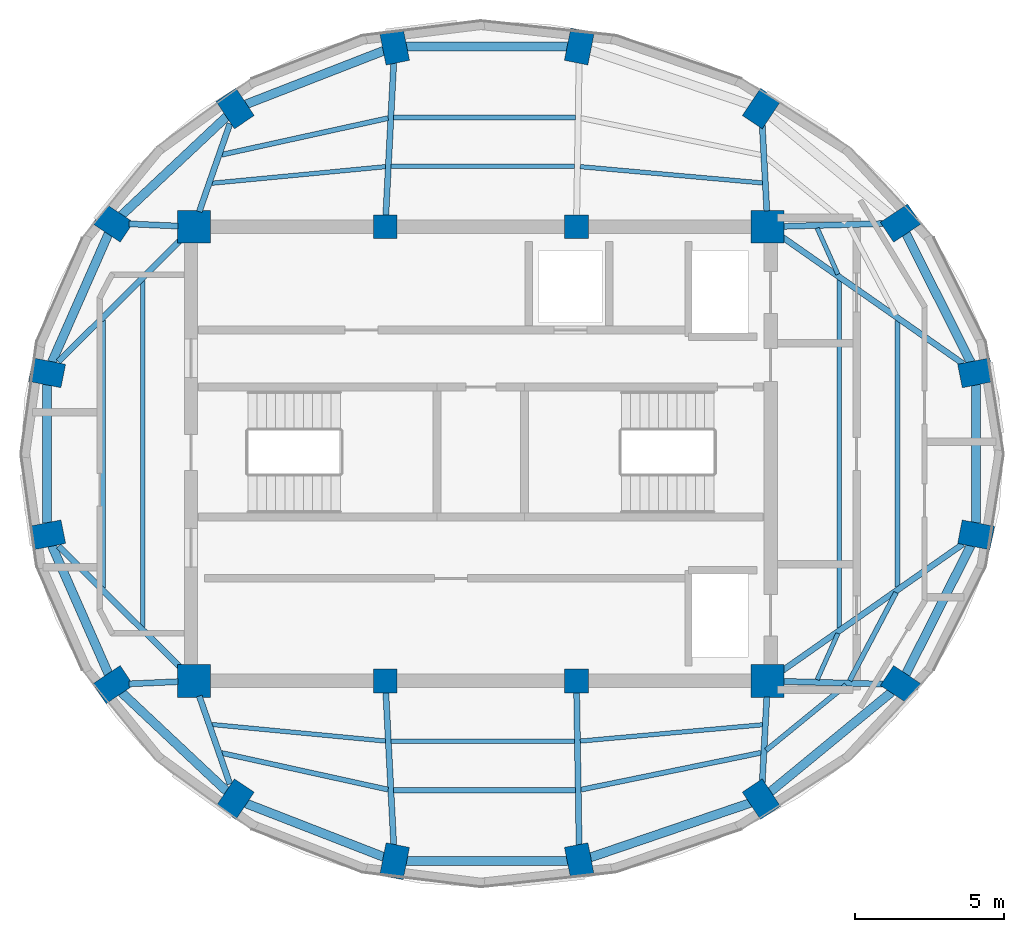
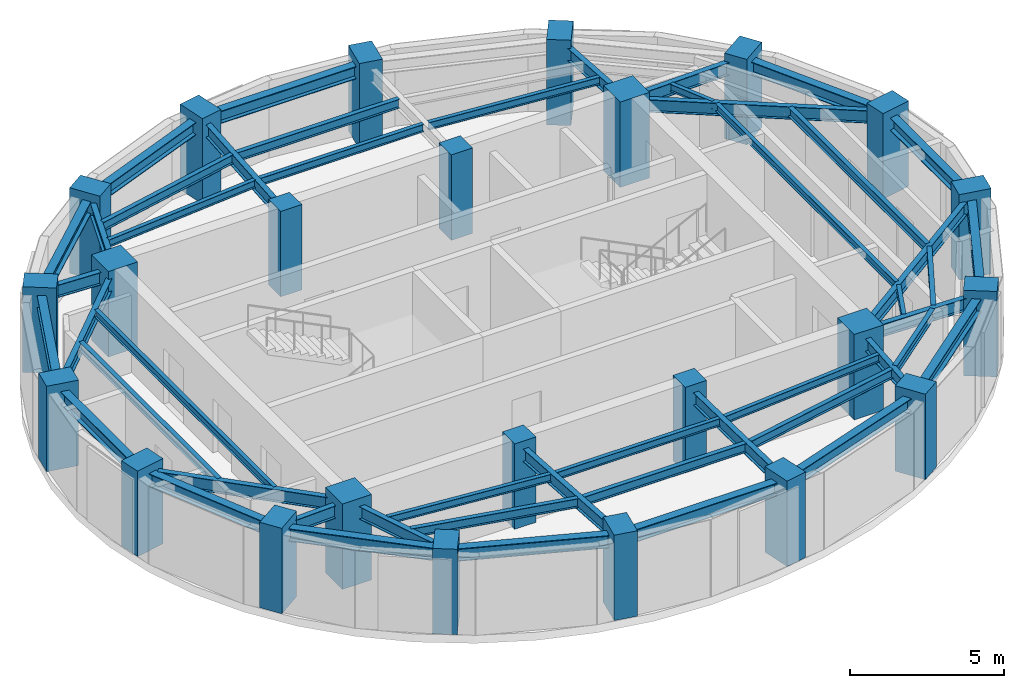
# One storey, part 1 of 5: 48 beams, 24 columns.
"""IFC4 building model written with IfcOpenShell, lengths in metres."""

import ifcopenshell
import ifcopenshell.guid

model = None  # the IFC model being written
_history = None  # IfcOwnerHistory: only IFC2X3 demands one
_inside = {}  # id of a spatial element -> (the spatial element, [elements in it])
_under = {}  # id of a project, library or spatial element -> (it, [spatial elements below it])
_declared = {}  # id of a project -> (the project, [libraries it declares])
_typed = {}  # id of a type object -> (the type object, [elements of that type])
_made_of = {}  # id of a material, layer set ... -> (it, [elements and type objects made of it])


def new_model(schema):
    """Start an empty IFC model of exactly this schema.

    Asked for "IFC4X3", IfcOpenShell would pick the latest addendum, in which some entities
    have other attributes; the version numbers below select the first issue.
    IFC2X3 requires an IfcOwnerHistory on every rooted entity: one is made here for all.
    """
    global model, _history
    if schema == "IFC4X3":
        model = ifcopenshell.file(schema_version=(4, 3, 0, 0))
    else:
        model = ifcopenshell.file(schema=schema)
    _inside.clear()
    _under.clear()
    _declared.clear()
    _typed.clear()
    _made_of.clear()
    _history = None
    if model.schema == "IFC2X3":
        org = make("IfcOrganization", Name="unknown")
        user = make(
            "IfcPersonAndOrganization",
            ThePerson=make("IfcPerson", FamilyName="unknown"),
            TheOrganization=org,
        )
        app = make(
            "IfcApplication",
            ApplicationDeveloper=org,
            Version="unknown",
            ApplicationFullName="unknown",
            ApplicationIdentifier="unknown",
        )
        _history = make(
            "IfcOwnerHistory",
            OwningUser=user,
            OwningApplication=app,
            ChangeAction="ADDED",
            CreationDate=0,
        )
    return model


def make(cls, **values):
    """One entity of the class cls with the attributes given. An attribute that is None is left unset."""
    return model.create_entity(
        cls, **{name: value for name, value in values.items() if value is not None}
    )


def rooted(cls, **values):
    """An entity with a GlobalId (a new one), such as an element, a storey or a relation."""
    return make(cls, GlobalId=ifcopenshell.guid.new(), OwnerHistory=_history, **values)


def si_unit(unit_type, name, prefix=None):
    """IfcSIUnit, for example si_unit("LENGTHUNIT", "METRE", prefix="MILLI")."""
    return make("IfcSIUnit", UnitType=unit_type, Prefix=prefix, Name=name)


def assignment(units):
    """IfcUnitAssignment: the units of a project."""
    return None if units is None else make("IfcUnitAssignment", Units=units)


def point(xyz):
    """IfcCartesianPoint."""
    return None if xyz is None else make("IfcCartesianPoint", Coordinates=xyz)


def direction(xyz):
    """IfcDirection."""
    return None if xyz is None else make("IfcDirection", DirectionRatios=xyz)


def frame(location, z_axis=None, x_axis=None):
    """IfcAxis2Placement3D, a coordinate frame: its origin and axes. An axis left out is left unset."""
    return make(
        "IfcAxis2Placement3D",
        Location=point(location),
        Axis=direction(z_axis),
        RefDirection=direction(x_axis),
    )


def frame_2d(location, x_axis=None):
    """IfcAxis2Placement2D, a coordinate frame in the plane: its origin and x axis."""
    return make(
        "IfcAxis2Placement2D", Location=point(location), RefDirection=direction(x_axis)
    )


def origin():
    """The frame at (0, 0, 0) with its axes left unset."""
    return frame((0.0, 0.0, 0.0))


def origin_2d():
    """The frame at (0, 0) in the plane with its x axis left unset."""
    return frame_2d((0.0, 0.0))


def place(relative_to, where):
    """IfcLocalPlacement: puts the frame where relative to a parent placement (None: the world)."""
    return make(
        "IfcLocalPlacement", PlacementRelTo=relative_to, RelativePlacement=where
    )


def context(
    kind, dimensions, precision=None, world=None, true_north=None, identifier=None
):
    """IfcGeometricRepresentationContext, for example the 3D "Model" context."""
    return make(
        "IfcGeometricRepresentationContext",
        ContextIdentifier=identifier,
        ContextType=kind,
        CoordinateSpaceDimension=dimensions,
        Precision=precision,
        WorldCoordinateSystem=world,
        TrueNorth=true_north,
    )


def subcontext(parent, identifier, kind, view, scale=None):
    """IfcGeometricRepresentationSubContext, for example "Body" below "Model"."""
    return make(
        "IfcGeometricRepresentationSubContext",
        ContextIdentifier=identifier,
        ContextType=kind,
        ParentContext=parent,
        TargetScale=scale,
        TargetView=view,
    )


def project(units=None, contexts=None):
    """IfcProject with its units and contexts."""
    return rooted(
        "IfcProject",
        Name="project",
        RepresentationContexts=contexts,
        UnitsInContext=assignment(units),
    )


def spatial(cls, under=None, at=None, **own):
    """A site, building, storey or space (cls), placed at a placement, below another one or the project."""
    s = rooted(cls, ObjectPlacement=at, **own)
    if under is not None:
        _under.setdefault(under.id(), (under, []))[1].append(s)
    return s


def profile(cls, at=None, kind="AREA", **sizes):
    """A parametric profile (cls). Its sizes go by their IFC names, for example OverallWidth=200.0."""
    return make(cls, ProfileType=kind, Position=at, **sizes)


def rectangle(**sizes):
    """IfcRectangleProfileDef."""
    return profile("IfcRectangleProfileDef", **sizes)


def i_section(**sizes):
    """IfcIShapeProfileDef."""
    return profile("IfcIShapeProfileDef", **sizes)


def extrude(swept, where, along, depth):
    """IfcExtrudedAreaSolid: the profile swept, set in the frame where, extruded along a direction by depth."""
    return make(
        "IfcExtrudedAreaSolid",
        SweptArea=swept,
        Position=where,
        ExtrudedDirection=direction(along),
        Depth=depth,
    )


def shape(context_of_items, identifier, shape_type, items):
    """IfcShapeRepresentation: the items that make up one representation, for example the "Body"."""
    return make(
        "IfcShapeRepresentation",
        ContextOfItems=context_of_items,
        RepresentationIdentifier=identifier,
        RepresentationType=shape_type,
        Items=items,
    )


def material(Name=None, Category=None):
    """IfcMaterial."""
    return make("IfcMaterial", Name=Name, Category=Category)


def material_profile(
    of_material, cross_section, Name=None, Category=None, Priority=None
):
    """IfcMaterialProfile: a cross section and its material."""
    return make(
        "IfcMaterialProfile",
        Name=Name,
        Material=of_material,
        Profile=cross_section,
        Priority=Priority,
        Category=Category,
    )


def profile_set(profiles, Name=None, composite=None):
    """IfcMaterialProfileSet."""
    return make(
        "IfcMaterialProfileSet",
        Name=Name,
        MaterialProfiles=profiles,
        CompositeProfile=composite,
    )


def made_of(thing, what):
    """Note that an element or type object is made of a material, layer set ...; save() writes the relation."""
    if what is not None:
        _made_of.setdefault(what.id(), (what, []))[1].append(thing)
    return thing


def type_object(cls, material=None, **own):
    """A type object (cls), such as IfcWallType, which elements share."""
    return made_of(rooted(cls, **own), material)


def element(
    cls,
    number,
    at=None,
    inside=None,
    cuts=None,
    type_object=None,
    material=None,
    context=None,
    identifier="Body",
    shape_type=None,
    held_by="IfcProductDefinitionShape",
    body=None,
    shapes=None,
    **own,
):
    """One element of the class cls, such as IfcWall. Its Tag is "e" and its number.

    at: its placement. inside: the storey or other place that contains it. cuts: it is an
    opening in that element (IfcRelVoidsElement). A single representation is given by context,
    identifier, shape_type and body (its items); several are given by shapes. held_by: the class
    of the entity that holds the representations. save() writes the other relations.
    """
    e = rooted(cls, Tag="e%d" % number, ObjectPlacement=at, **own)
    if body is not None:
        shapes = [shape(context, identifier, shape_type, body)]
    if shapes is not None:
        e.Representation = make(held_by, Representations=shapes)
    if inside is not None:
        _inside.setdefault(inside.id(), (inside, []))[1].append(e)
    if cuts is not None:
        rooted(
            "IfcRelVoidsElement", RelatingBuildingElement=cuts, RelatedOpeningElement=e
        )
    if type_object is not None:
        _typed.setdefault(type_object.id(), (type_object, []))[1].append(e)
    return made_of(e, material)


def aggregate(whole, parts):
    """IfcRelAggregates: a whole, such as a stair, and the parts it consists of."""
    return rooted("IfcRelAggregates", RelatingObject=whole, RelatedObjects=parts)


def save(model, path):
    """Write the relations noted so far, then the file.

    IfcRelAggregates (storeys below a building ...), IfcRelContainedInSpatialStructure (elements
    in a storey), IfcRelDefinesByType, IfcRelAssociatesMaterial and IfcRelDeclares: one each for
    every whole, place, type object, material and project.
    """
    for whole, parts in _under.values():
        aggregate(whole, parts)
    for where, things in _inside.values():
        rooted(
            "IfcRelContainedInSpatialStructure",
            RelatedElements=things,
            RelatingStructure=where,
        )
    for kind, things in _typed.values():
        rooted("IfcRelDefinesByType", RelatedObjects=things, RelatingType=kind)
    for what, things in _made_of.values():
        rooted("IfcRelAssociatesMaterial", RelatedObjects=things, RelatingMaterial=what)
    for by, libraries in _declared.values():
        rooted("IfcRelDeclares", RelatingContext=by, RelatedDefinitions=libraries)
    model.write(path)


model = new_model("IFC4")

# Units and contexts
model_context = context("Model", 3, precision=1e-05, world=origin(), true_north=direction((0.0, 1.0)))
body_context = subcontext(model_context, "Body", "Model", "MODEL_VIEW")
ifc_project = project(units=[si_unit("LENGTHUNIT", "METRE"), si_unit("AREAUNIT", "SQUARE_METRE"), si_unit("VOLUMEUNIT", "CUBIC_METRE"), si_unit("PLANEANGLEUNIT", "RADIAN"), si_unit("MASSUNIT", "GRAM", prefix="KILO")], contexts=[model_context])

# Site, building, storey
site_placement = place(None, origin())
site = spatial("IfcSite", under=ifc_project, at=site_placement, CompositionType="ELEMENT")
building_placement = place(site_placement, origin())
building = spatial("IfcBuilding", under=site, at=building_placement, Name="Lazwardi Medical Tower", CompositionType="ELEMENT")
storey_placement = place(building_placement, frame((0.0, 0.0, 309.22412109375)))
storey = spatial("IfcBuildingStorey", under=building, at=storey_placement, Name="L81", CompositionType="ELEMENT", Elevation=309.22412109375)

# Columns
ifc_material_1 = material(Name="Concrete C80/95", Category="concrete")
ifc_material_profile_1 = material_profile(ifc_material_1, rectangle(XDim=1.10009765625, YDim=1.10009765625, at=origin_2d()), Name="RC 1100x1100")
ifc_profile_set_1 = profile_set([ifc_material_profile_1], Name="Concrete C80/95")
column_type_1 = type_object("IfcColumnType", Name="COL-CC-L", PredefinedType="COLUMN", material=ifc_profile_set_1)
for number, where, z_axis, x_axis, name in (
    (1, (26.39990234375, 20.39990234375, 0.0), (0.0, 0.0, 1.0), (1.0, 0.0, 0.0), "Core column CC-01 CC1 L81"),
    (2, (45.60009765625, 20.39990234375, 0.0), (0.0, 0.0, 1.0), (1.0, 0.0, 0.0), "Core column CC-01 CC4 L81"),
    (3, (45.60009765625, 35.60009765625, 0.0), (0.0, 0.0, 1.0), (1.0, 0.0, 0.0), "Core column CC-01 CC5 L81"),
    (4, (26.39990234375, 35.60009765625, 0.0), (0.0, 0.0, 1.0), (1.0, 0.0, 0.0), "Core column CC-01 CC8 L81"),
):
    element("IfcColumn", number, at=place(storey_placement, frame(where, z_axis=z_axis, x_axis=x_axis)), inside=storey, type_object=column_type_1, Name=name, PredefinedType="COLUMN", context=body_context, shape_type="SweptSolid", body=[
        extrude(rectangle(XDim=1.10009765625, YDim=1.10009765625, at=origin_2d()), origin(), (0.0, 0.0, 1.0), 3.387939453125),
    ])
ifc_material_2 = material(Name="Concrete C60/75", Category="concrete")
ifc_material_profile_2 = material_profile(ifc_material_2, rectangle(XDim=0.800048828125, YDim=0.800048828125, at=origin_2d()), Name="RC 800x800")
ifc_profile_set_2 = profile_set([ifc_material_profile_2], Name="Concrete C60/75")
column_type_2 = type_object("IfcColumnType", Name="COL-CC-U", PredefinedType="COLUMN", material=ifc_profile_set_2)
for number, where, z_axis, x_axis, name in (
    (5, (32.800048828125, 20.39990234375, 0.0), (0.0, 0.0, 1.0), (1.0, 0.0, 0.0), "Core column CC-03 CC2 L81"),
    (6, (39.199951171875, 20.39990234375, 0.0), (0.0, 0.0, 1.0), (1.0, 0.0, 0.0), "Core column CC-03 CC3 L81"),
    (7, (39.199951171875, 35.60009765625, 0.0), (0.0, 0.0, 1.0), (1.0, 0.0, 0.0), "Core column CC-03 CC6 L81"),
    (8, (32.800048828125, 35.60009765625, 0.0), (0.0, 0.0, 1.0), (1.0, 0.0, 0.0), "Core column CC-03 CC7 L81"),
):
    element("IfcColumn", number, at=place(storey_placement, frame(where, z_axis=z_axis, x_axis=x_axis)), inside=storey, type_object=column_type_2, Name=name, PredefinedType="COLUMN", context=body_context, shape_type="SweptSolid", body=[
        extrude(rectangle(XDim=0.800048828125, YDim=0.800048828125, at=origin_2d()), origin(), (0.0, 0.0, 1.0), 3.387939453125),
    ])
ifc_material_profile_3 = material_profile(ifc_material_2, rectangle(XDim=1.10009765625, YDim=0.800048828125, at=origin_2d()), Name="CFT-RECT 1100x800")
ifc_profile_set_3 = profile_set([ifc_material_profile_3], Name="Concrete C60/75")
column_type_3 = type_object("IfcColumnType", Name="COL-MC-Z4", PredefinedType="COLUMN", material=ifc_profile_set_3)
for number, where, z_axis, x_axis, name in (
    (9, (39.297119140625, 14.3671875, 0.0), (0.0, 0.0, 1.0), (0.195090322016, -0.980785280403, 0.0), "Mega column MC-06 M01 L81"),
    (10, (45.38916015625, 16.442626953125, 0.0), (0.0, 0.0, 1.0), (0.55557023302, -0.831469612303, 0.0), "Mega column MC-06 M02 L81"),
    (11, (50.0517578125, 20.277587890625, 0.0), (0.0, 0.0, 1.0), (0.831469612303, -0.55557023302, 0.0), "Mega column MC-06 M03 L81"),
    (12, (52.5751953125, 25.2880859375, 0.0), (0.0, 0.0, 1.0), (0.980785280403, -0.195090322016, 0.0), "Mega column MC-06 M04 L81"),
    (13, (52.5751953125, 30.7119140625, 0.0), (0.0, 0.0, 1.0), (0.980785280403, 0.195090322016, 0.0), "Mega column MC-06 M05 L81"),
    (14, (50.0517578125, 35.722412109375, 0.0), (0.0, 0.0, 1.0), (0.831469612303, 0.55557023302, 0.0), "Mega column MC-06 M06 L81"),
    (15, (45.38916015625, 39.557373046875, 0.0), (0.0, 0.0, 1.0), (0.55557023302, 0.831469612303, 0.0), "Mega column MC-06 M07 L81"),
    (16, (39.297119140625, 41.6328125, 0.0), (0.0, 0.0, 1.0), (0.195090322016, 0.980785280403, 0.0), "Mega column MC-06 M08 L81"),
    (17, (33.11279296875, 41.6328125, 0.0), (0.0, 0.0, 1.0), (-0.195090322016, 0.980785280403, 0.0), "Mega column MC-06 M09 L81"),
    (18, (27.777587890625, 39.557373046875, 0.0), (0.0, 0.0, 1.0), (-0.55557023302, 0.831469612303, 0.0), "Mega column MC-06 M10 L81"),
    (19, (23.694091796875, 35.722412109375, 0.0), (0.0, 0.0, 1.0), (-0.831469612303, 0.55557023302, 0.0), "Mega column MC-06 M11 L81"),
    (20, (21.484375, 30.7119140625, 0.0), (0.0, 0.0, 1.0), (-0.980785280403, 0.195090322016, 0.0), "Mega column MC-06 M12 L81"),
    (21, (21.484375, 25.2880859375, 0.0), (0.0, 0.0, 1.0), (-0.980785280403, -0.195090322016, 0.0), "Mega column MC-06 M13 L81"),
    (22, (23.694091796875, 20.277587890625, 0.0), (0.0, 0.0, 1.0), (-0.831469612303, -0.55557023302, 0.0), "Mega column MC-06 M14 L81"),
    (23, (27.777587890625, 16.442626953125, 0.0), (0.0, 0.0, 1.0), (-0.55557023302, -0.831469612303, 0.0), "Mega column MC-06 M15 L81"),
    (24, (33.11279296875, 14.3671875, 0.0), (0.0, 0.0, 1.0), (-0.195090322016, -0.980785280403, 0.0), "Mega column MC-06 M16 L81"),
):
    element("IfcColumn", number, at=place(storey_placement, frame(where, z_axis=z_axis, x_axis=x_axis)), inside=storey, type_object=column_type_3, Name=name, PredefinedType="COLUMN", context=body_context, shape_type="SweptSolid", body=[
        extrude(rectangle(XDim=1.10009765625, YDim=0.800048828125, at=origin_2d()), origin(), (0.0, 0.0, 1.0), 3.387939453125),
    ])

# Beams
ifc_material_3 = material(Name="Steel S355", Category="steel")
ifc_material_profile_4 = material_profile(ifc_material_3, i_section(OverallWidth=0.300048828125, OverallDepth=0.5, WebThickness=0.014404296875, FlangeThickness=0.028076171875, at=origin_2d()), Name="HEB 500")
ifc_profile_set_4 = profile_set([ifc_material_profile_4], Name="Steel S355")
beam_type_1 = type_object("IfcBeamType", Name="BM-RB-Z4", PredefinedType="BEAM", material=ifc_profile_set_4)
beam_1_placement = place(storey_placement, frame((39.666259765625, 14.492919921875, 2.81787109375), z_axis=(0.94657339, 0.322488476296, 0.0), x_axis=(-0.322488476296, 0.94657339, 0.0)))
element("IfcBeam", 25, at=beam_1_placement, inside=storey, type_object=beam_type_1, Name="Ring beam RB-05 B01 L81", PredefinedType="BEAM", context=body_context, shape_type="SweptSolid", body=[
    extrude(i_section(OverallWidth=0.300048828125, OverallDepth=0.5, WebThickness=0.014404296875, FlangeThickness=0.028076171875, at=origin_2d()), origin(), (0.0, 0.0, 1.0), 5.656005859375),
])
beam_2_placement = place(storey_placement, frame((45.690185546875, 16.690185546875, 2.81787109375), z_axis=(0.772320174437, 0.635233459571, 0.0), x_axis=(-0.635233459571, 0.772320174437, 0.0)))
element("IfcBeam", 26, at=beam_2_placement, inside=storey, type_object=beam_type_1, Name="Ring beam RB-05 B02 L81", PredefinedType="BEAM", context=body_context, shape_type="SweptSolid", body=[
    extrude(i_section(OverallWidth=0.300048828125, OverallDepth=0.5, WebThickness=0.014404296875, FlangeThickness=0.028076171875, at=origin_2d()), origin(), (0.0, 0.0, 1.0), 5.25732421875),
])
beam_3_placement = place(storey_placement, frame((50.227294921875, 20.6259765625, 2.81787109375), z_axis=(0.449799625666, 0.89312949607, 0.0), x_axis=(-0.89312949607, 0.449799625666, 0.0)))
element("IfcBeam", 27, at=beam_3_placement, inside=storey, type_object=beam_type_1, Name="Ring beam RB-05 B03 L81", PredefinedType="BEAM", context=body_context, shape_type="SweptSolid", body=[
    extrude(i_section(OverallWidth=0.300048828125, OverallDepth=0.5, WebThickness=0.014404296875, FlangeThickness=0.028076171875, at=origin_2d()), origin(), (0.0, 0.0, 1.0), 4.830078125),
])
beam_4_placement = place(storey_placement, frame((52.5751953125, 25.67822265625, 2.81787109375), z_axis=(0.0, 1.0, 0.0), x_axis=(-1.0, 0.0, 0.0)))
element("IfcBeam", 28, at=beam_4_placement, inside=storey, type_object=beam_type_1, Name="Ring beam RB-05 B04 L81", PredefinedType="BEAM", context=body_context, shape_type="SweptSolid", body=[
    extrude(i_section(OverallWidth=0.300048828125, OverallDepth=0.5, WebThickness=0.014404296875, FlangeThickness=0.028076171875, at=origin_2d()), origin(), (0.0, 0.0, 1.0), 4.6435546875),
])
beam_5_placement = place(storey_placement, frame((52.39990234375, 31.06005859375, 2.81787109375), z_axis=(-0.449799625666, 0.89312949607, 0.0), x_axis=(-0.89312949607, -0.449799625666, 0.0)))
element("IfcBeam", 29, at=beam_5_placement, inside=storey, type_object=beam_type_1, Name="Ring beam RB-05 B05 L81", PredefinedType="BEAM", context=body_context, shape_type="SweptSolid", body=[
    extrude(i_section(OverallWidth=0.300048828125, OverallDepth=0.5, WebThickness=0.014404296875, FlangeThickness=0.028076171875, at=origin_2d()), origin(), (0.0, 0.0, 1.0), 4.830078125),
])
beam_6_placement = place(storey_placement, frame((38.906982421875, 41.6328125, 2.81787109375), z_axis=(-1.0, 0.0, 0.0), x_axis=(0.0, -1.0, 0.0)))
element("IfcBeam", 30, at=beam_6_placement, inside=storey, type_object=beam_type_1, Name="Ring beam RB-05 B08 L81", PredefinedType="BEAM", context=body_context, shape_type="SweptSolid", body=[
    extrude(i_section(OverallWidth=0.300048828125, OverallDepth=0.5, WebThickness=0.014404296875, FlangeThickness=0.028076171875, at=origin_2d()), origin(), (0.0, 0.0, 1.0), 5.404296875),
])
beam_7_placement = place(storey_placement, frame((32.749267578125, 41.491455078125, 2.81787109375), z_axis=(-0.931959260109, -0.362563011761, 0.0), x_axis=(0.362563011761, -0.931959260109, 0.0)))
element("IfcBeam", 31, at=beam_7_placement, inside=storey, type_object=beam_type_1, Name="Ring beam RB-05 B09 L81", PredefinedType="BEAM", context=body_context, shape_type="SweptSolid", body=[
    extrude(i_section(OverallWidth=0.300048828125, OverallDepth=0.5, WebThickness=0.014404296875, FlangeThickness=0.028076171875, at=origin_2d()), origin(), (0.0, 0.0, 1.0), 4.944580078125),
])
beam_8_placement = place(storey_placement, frame((27.493408203125, 39.290283203125, 2.81787109375), z_axis=(-0.728960615285, -0.684555637887, 0.0), x_axis=(0.684555637887, -0.728960615285, 0.0)))
element("IfcBeam", 32, at=beam_8_placement, inside=storey, type_object=beam_type_1, Name="Ring beam RB-05 B10 L81", PredefinedType="BEAM", context=body_context, shape_type="SweptSolid", body=[
    extrude(i_section(OverallWidth=0.300048828125, OverallDepth=0.5, WebThickness=0.014404296875, FlangeThickness=0.028076171875, at=origin_2d()), origin(), (0.0, 0.0, 1.0), 4.82177734375),
])
beam_9_placement = place(storey_placement, frame((23.536865234375, 35.365478515625, 2.81787109375), z_axis=(-0.403522451548, -0.914969743268, 0.0), x_axis=(0.914969743268, -0.403522451548, 0.0)))
element("IfcBeam", 33, at=beam_9_placement, inside=storey, type_object=beam_type_1, Name="Ring beam RB-05 B11 L81", PredefinedType="BEAM", context=body_context, shape_type="SweptSolid", body=[
    extrude(i_section(OverallWidth=0.300048828125, OverallDepth=0.5, WebThickness=0.014404296875, FlangeThickness=0.028076171875, at=origin_2d()), origin(), (0.0, 0.0, 1.0), 4.6962890625),
])
beam_10_placement = place(storey_placement, frame((21.484375, 30.32177734375, 2.81787109375), z_axis=(0.0, -1.0, 0.0), x_axis=(1.0, 0.0, 0.0)))
element("IfcBeam", 34, at=beam_10_placement, inside=storey, type_object=beam_type_1, Name="Ring beam RB-05 B12 L81", PredefinedType="BEAM", context=body_context, shape_type="SweptSolid", body=[
    extrude(i_section(OverallWidth=0.300048828125, OverallDepth=0.5, WebThickness=0.014404296875, FlangeThickness=0.028076171875, at=origin_2d()), origin(), (0.0, 0.0, 1.0), 4.6435546875),
])
beam_11_placement = place(storey_placement, frame((21.641845703125, 24.931396484375, 2.81787109375), z_axis=(0.403522451548, -0.914969743268, 0.0), x_axis=(0.914969743268, 0.403522451548, 0.0)))
element("IfcBeam", 35, at=beam_11_placement, inside=storey, type_object=beam_type_1, Name="Ring beam RB-05 B13 L81", PredefinedType="BEAM", context=body_context, shape_type="SweptSolid", body=[
    extrude(i_section(OverallWidth=0.300048828125, OverallDepth=0.5, WebThickness=0.014404296875, FlangeThickness=0.028076171875, at=origin_2d()), origin(), (0.0, 0.0, 1.0), 4.6962890625),
])
beam_12_placement = place(storey_placement, frame((23.978515625, 20.010498046875, 2.81787109375), z_axis=(0.728960615285, -0.684555637887, 0.0), x_axis=(0.684555637887, 0.728960615285, 0.0)))
element("IfcBeam", 36, at=beam_12_placement, inside=storey, type_object=beam_type_1, Name="Ring beam RB-05 B14 L81", PredefinedType="BEAM", context=body_context, shape_type="SweptSolid", body=[
    extrude(i_section(OverallWidth=0.300048828125, OverallDepth=0.5, WebThickness=0.014404296875, FlangeThickness=0.028076171875, at=origin_2d()), origin(), (0.0, 0.0, 1.0), 4.82177734375),
])
beam_13_placement = place(storey_placement, frame((28.14111328125, 16.30126953125, 2.81787109375), z_axis=(0.931959260109, -0.362563011761, 0.0), x_axis=(0.362563011761, 0.931959260109, 0.0)))
element("IfcBeam", 37, at=beam_13_placement, inside=storey, type_object=beam_type_1, Name="Ring beam RB-05 B15 L81", PredefinedType="BEAM", context=body_context, shape_type="SweptSolid", body=[
    extrude(i_section(OverallWidth=0.300048828125, OverallDepth=0.5, WebThickness=0.014404296875, FlangeThickness=0.028076171875, at=origin_2d()), origin(), (0.0, 0.0, 1.0), 4.944580078125),
])
beam_14_placement = place(storey_placement, frame((33.502685546875, 14.3671875, 2.81787109375), z_axis=(1.0, 0.0, 0.0), x_axis=(0.0, 1.0, 0.0)))
element("IfcBeam", 38, at=beam_14_placement, inside=storey, type_object=beam_type_1, Name="Ring beam RB-05 B16 L81", PredefinedType="BEAM", context=body_context, shape_type="SweptSolid", body=[
    extrude(i_section(OverallWidth=0.300048828125, OverallDepth=0.5, WebThickness=0.014404296875, FlangeThickness=0.028076171875, at=origin_2d()), origin(), (0.0, 0.0, 1.0), 5.404296875),
])
ifc_material_profile_5 = material_profile(ifc_material_3, i_section(OverallWidth=0.199951171875, OverallDepth=0.5, WebThickness=0.01025390625, FlangeThickness=0.01611328125, at=origin_2d()), Name="IPE 500")
ifc_profile_set_5 = profile_set([ifc_material_profile_5], Name="Steel S355")
beam_type_2 = type_object("IfcBeamType", Name="BM-RG-W3", PredefinedType="BEAM", material=ifc_profile_set_5)
beam_15_placement = place(storey_placement, frame((39.288330078125, 14.902099609375, 2.81787109375), z_axis=(-0.016042248199, 0.999871314856, 0.0), x_axis=(-0.999871314856, -0.016042248199, 0.0)))
element("IfcBeam", 39, at=beam_15_placement, inside=storey, type_object=beam_type_2, Name="Radial girder RG-04 R01 L81", PredefinedType="BEAM", context=body_context, shape_type="SweptSolid", body=[
    extrude(i_section(OverallWidth=0.199951171875, OverallDepth=0.5, WebThickness=0.01025390625, FlangeThickness=0.01611328125, at=origin_2d()), origin(), (0.0, 0.0, 1.0), 5.113525390625),
])
beam_16_placement = place(storey_placement, frame((45.41748046875, 16.976806640625, 2.81787109375), z_axis=(0.053249788899, 0.998581223528, 0.0), x_axis=(-0.998581223528, 0.053249788899, 0.0)))
element("IfcBeam", 40, at=beam_16_placement, inside=storey, type_object=beam_type_2, Name="Radial girder RG-04 R02 L81", PredefinedType="BEAM", context=body_context, shape_type="SweptSolid", body=[
    extrude(i_section(OverallWidth=0.199951171875, OverallDepth=0.5, WebThickness=0.01025390625, FlangeThickness=0.01611328125, at=origin_2d()), origin(), (0.0, 0.0, 1.0), 2.89306640625),
])
beam_17_placement = place(storey_placement, frame((49.51708984375, 20.292236328125, 2.81787109375), z_axis=(-0.999622059591, 0.027490688949, 0.0), x_axis=(-0.027490688949, -0.999622059591, 0.0)))
element("IfcBeam", 41, at=beam_17_placement, inside=storey, type_object=beam_type_2, Name="Radial girder RG-04 R03 L81", PredefinedType="BEAM", context=body_context, shape_type="SweptSolid", body=[
    extrude(i_section(OverallWidth=0.199951171875, OverallDepth=0.5, WebThickness=0.01025390625, FlangeThickness=0.01611328125, at=origin_2d()), origin(), (0.0, 0.0, 1.0), 3.383544921875),
])
for number, where, z_axis, x_axis, name in (
    (42, (52.13720703125, 24.981201171875, 2.81787109375), (-0.818929959662, -0.573893475454, 0.0), (0.573893475454, -0.818929959662, 0.0), "Radial girder RG-04 R04 L81"),
    (43, (52.13720703125, 31.018798828125, 2.81787109375), (-0.818929959662, 0.573893475454, 0.0), (-0.573893475454, -0.818929959662, 0.0), "Radial girder RG-04 R05 L81"),
):
    element("IfcBeam", number, at=place(storey_placement, frame(where, z_axis=z_axis, x_axis=x_axis)), inside=storey, type_object=beam_type_2, Name=name, PredefinedType="BEAM", context=body_context, shape_type="SweptSolid", body=[
        extrude(i_section(OverallWidth=0.199951171875, OverallDepth=0.5, WebThickness=0.01025390625, FlangeThickness=0.01611328125, at=origin_2d()), origin(), (0.0, 0.0, 1.0), 7.44775390625),
    ])
beam_18_placement = place(storey_placement, frame((49.51708984375, 35.707763671875, 2.81787109375), z_axis=(-0.999622059591, -0.027490688949, 0.0), x_axis=(0.027490688949, -0.999622059591, 0.0)))
element("IfcBeam", 44, at=beam_18_placement, inside=storey, type_object=beam_type_2, Name="Radial girder RG-04 R06 L81", PredefinedType="BEAM", context=body_context, shape_type="SweptSolid", body=[
    extrude(i_section(OverallWidth=0.199951171875, OverallDepth=0.5, WebThickness=0.01025390625, FlangeThickness=0.01611328125, at=origin_2d()), origin(), (0.0, 0.0, 1.0), 3.383544921875),
])
beam_19_placement = place(storey_placement, frame((45.41748046875, 39.023193359375, 2.81787109375), z_axis=(0.053249788899, -0.998581223528, 0.0), x_axis=(0.998581223528, 0.053249788899, 0.0)))
element("IfcBeam", 45, at=beam_19_placement, inside=storey, type_object=beam_type_2, Name="Radial girder RG-04 R07 L81", PredefinedType="BEAM", context=body_context, shape_type="SweptSolid", body=[
    extrude(i_section(OverallWidth=0.199951171875, OverallDepth=0.5, WebThickness=0.01025390625, FlangeThickness=0.01611328125, at=origin_2d()), origin(), (0.0, 0.0, 1.0), 2.89306640625),
])
beam_20_placement = place(storey_placement, frame((33.0849609375, 41.0986328125, 2.81787109375), z_axis=(-0.051775595379, -0.998658744378, 0.0), x_axis=(0.998658744378, -0.051775595379, 0.0)))
element("IfcBeam", 46, at=beam_20_placement, inside=storey, type_object=beam_type_2, Name="Radial girder RG-04 R09 L81", PredefinedType="BEAM", context=body_context, shape_type="SweptSolid", body=[
    extrude(i_section(OverallWidth=0.199951171875, OverallDepth=0.5, WebThickness=0.01025390625, FlangeThickness=0.01611328125, at=origin_2d()), origin(), (0.0, 0.0, 1.0), 5.120849609375),
])
beam_21_placement = place(storey_placement, frame((27.601806640625, 39.052001953125, 2.81787109375), z_axis=(-0.32878160191, -0.944405981687, 0.0), x_axis=(0.944405981687, -0.32878160191, 0.0)))
element("IfcBeam", 47, at=beam_21_placement, inside=storey, type_object=beam_type_2, Name="Radial girder RG-04 R10 L81", PredefinedType="BEAM", context=body_context, shape_type="SweptSolid", body=[
    extrude(i_section(OverallWidth=0.199951171875, OverallDepth=0.5, WebThickness=0.01025390625, FlangeThickness=0.01611328125, at=origin_2d()), origin(), (0.0, 0.0, 1.0), 3.120361328125),
])
beam_22_placement = place(storey_placement, frame((24.228759765625, 35.6982421875, 2.81787109375), z_axis=(0.9989801824, -0.045150804783, 0.0), x_axis=(0.045150804783, 0.9989801824, 0.0)))
element("IfcBeam", 48, at=beam_22_placement, inside=storey, type_object=beam_type_2, Name="Radial girder RG-04 R11 L81", PredefinedType="BEAM", context=body_context, shape_type="SweptSolid", body=[
    extrude(i_section(OverallWidth=0.199951171875, OverallDepth=0.5, WebThickness=0.01025390625, FlangeThickness=0.01611328125, at=origin_2d()), origin(), (0.0, 0.0, 1.0), 1.638427734375),
])
for number, where, z_axis, x_axis, name in (
    (49, (21.86376953125, 31.089111328125, 2.81787109375), (0.709061424787, 0.705146719399, 0.0), (-0.705146719399, 0.709061424787, 0.0), "Radial girder RG-04 R12 L81"),
    (50, (21.86376953125, 24.910888671875, 2.81787109375), (0.709061424787, -0.705146719399, 0.0), (0.705146719399, 0.709061424787, 0.0), "Radial girder RG-04 R13 L81"),
):
    element("IfcBeam", number, at=place(storey_placement, frame(where, z_axis=z_axis, x_axis=x_axis)), inside=storey, type_object=beam_type_2, Name=name, PredefinedType="BEAM", context=body_context, shape_type="SweptSolid", body=[
        extrude(i_section(OverallWidth=0.199951171875, OverallDepth=0.5, WebThickness=0.01025390625, FlangeThickness=0.01611328125, at=origin_2d()), origin(), (0.0, 0.0, 1.0), 5.8623046875),
    ])
beam_23_placement = place(storey_placement, frame((24.228759765625, 20.3017578125, 2.81787109375), z_axis=(0.9989801824, 0.045150804783, 0.0), x_axis=(-0.045150804783, 0.9989801824, 0.0)))
element("IfcBeam", 51, at=beam_23_placement, inside=storey, type_object=beam_type_2, Name="Radial girder RG-04 R14 L81", PredefinedType="BEAM", context=body_context, shape_type="SweptSolid", body=[
    extrude(i_section(OverallWidth=0.199951171875, OverallDepth=0.5, WebThickness=0.01025390625, FlangeThickness=0.01611328125, at=origin_2d()), origin(), (0.0, 0.0, 1.0), 1.638427734375),
])
beam_24_placement = place(storey_placement, frame((27.601806640625, 16.947998046875, 2.81787109375), z_axis=(-0.32878160191, 0.944405981687, 0.0), x_axis=(-0.944405981687, -0.32878160191, 0.0)))
element("IfcBeam", 52, at=beam_24_placement, inside=storey, type_object=beam_type_2, Name="Radial girder RG-04 R15 L81", PredefinedType="BEAM", context=body_context, shape_type="SweptSolid", body=[
    extrude(i_section(OverallWidth=0.199951171875, OverallDepth=0.5, WebThickness=0.01025390625, FlangeThickness=0.01611328125, at=origin_2d()), origin(), (0.0, 0.0, 1.0), 3.120361328125),
])
beam_25_placement = place(storey_placement, frame((33.0849609375, 14.9013671875, 2.81787109375), z_axis=(-0.051775595379, 0.998658744378, 0.0), x_axis=(-0.998658744378, -0.051775595379, 0.0)))
element("IfcBeam", 53, at=beam_25_placement, inside=storey, type_object=beam_type_2, Name="Radial girder RG-04 R16 L81", PredefinedType="BEAM", context=body_context, shape_type="SweptSolid", body=[
    extrude(i_section(OverallWidth=0.199951171875, OverallDepth=0.5, WebThickness=0.01025390625, FlangeThickness=0.01611328125, at=origin_2d()), origin(), (0.0, 0.0, 1.0), 5.120849609375),
])
ifc_material_profile_6 = material_profile(ifc_material_3, i_section(OverallWidth=0.169921875, OverallDepth=0.360107421875, WebThickness=0.008056640625, FlangeThickness=0.0126953125, at=origin_2d()), Name="IPE 360")
ifc_profile_set_6 = profile_set([ifc_material_profile_6], Name="Steel S355")
beam_type_3 = type_object("IfcBeamType", Name="BM-SJ-02", PredefinedType="JOIST", material=ifc_profile_set_6)
beam_26_placement = place(storey_placement, frame((39.351806640625, 16.76171875, 2.887939453125), z_axis=(0.979616916129, 0.200874830763, 0.0), x_axis=(-0.200874830763, 0.979616916129, 0.0)))
element("IfcBeam", 54, at=beam_26_placement, inside=storey, type_object=beam_type_3, Name="Secondary joist SJ-02 R1 B01 L81", PredefinedType="JOIST", context=body_context, shape_type="SweptSolid", body=[
    extrude(i_section(OverallWidth=0.169921875, OverallDepth=0.360107421875, WebThickness=0.008056640625, FlangeThickness=0.0126953125, at=origin_2d()), origin(), (0.0, 0.0, 1.0), 6.153564453125),
])
beam_27_placement = place(storey_placement, frame((45.546630859375, 18.076904296875, 2.887939453125), z_axis=(0.774431855027, 0.632657333727, 0.0), x_axis=(-0.632657333727, 0.774431855027, 0.0)))
element("IfcBeam", 55, at=beam_27_placement, inside=storey, type_object=beam_type_3, Name="Secondary joist SJ-02 R1 B02 L81", PredefinedType="JOIST", context=body_context, shape_type="SweptSolid", body=[
    extrude(i_section(OverallWidth=0.169921875, OverallDepth=0.360107421875, WebThickness=0.008056640625, FlangeThickness=0.0126953125, at=origin_2d()), origin(), (0.0, 0.0, 1.0), 3.45947265625),
])
beam_28_placement = place(storey_placement, frame((48.34375, 20.409912109375, 2.887939453125), z_axis=(0.466129832602, 0.884716326942, 0.0), x_axis=(-0.884716326942, 0.466129832602, 0.0)))
element("IfcBeam", 56, at=beam_28_placement, inside=storey, type_object=beam_type_3, Name="Secondary joist SJ-02 R1 B03 L81", PredefinedType="JOIST", context=body_context, shape_type="SweptSolid", body=[
    extrude(i_section(OverallWidth=0.169921875, OverallDepth=0.360107421875, WebThickness=0.008056640625, FlangeThickness=0.0126953125, at=origin_2d()), origin(), (0.0, 0.0, 1.0), 3.332763671875),
])
beam_29_placement = place(storey_placement, frame((49.94140625, 23.53759765625, 2.887939453125), z_axis=(0.0, 1.0, 0.0), x_axis=(-1.0, 0.0, 0.0)))
element("IfcBeam", 57, at=beam_29_placement, inside=storey, type_object=beam_type_3, Name="Secondary joist SJ-02 R1 B04 L81", PredefinedType="JOIST", context=body_context, shape_type="SweptSolid", body=[
    extrude(i_section(OverallWidth=0.169921875, OverallDepth=0.360107421875, WebThickness=0.008056640625, FlangeThickness=0.0126953125, at=origin_2d()), origin(), (0.0, 0.0, 1.0), 8.9248046875),
])
beam_30_placement = place(storey_placement, frame((39.163818359375, 39.25732421875, 2.887939453125), z_axis=(-0.999999999194, 4.0160643e-05, 0.0), x_axis=(-4.0160643e-05, -0.999999999194, 0.0)))
element("IfcBeam", 58, at=beam_30_placement, inside=storey, type_object=beam_type_3, Name="Secondary joist SJ-02 R1 B08 L81", PredefinedType="JOIST", context=body_context, shape_type="SweptSolid", body=[
    extrude(i_section(OverallWidth=0.169921875, OverallDepth=0.360107421875, WebThickness=0.008056640625, FlangeThickness=0.0126953125, at=origin_2d()), origin(), (0.0, 0.0, 1.0), 6.0791015625),
])
beam_31_placement = place(storey_placement, frame((32.896728515625, 39.237060546875, 2.887939453125), z_axis=(-0.976659012992, -0.214795652522, 0.0), x_axis=(0.214795652522, -0.976659012992, 0.0)))
element("IfcBeam", 59, at=beam_31_placement, inside=storey, type_object=beam_type_3, Name="Secondary joist SJ-02 R1 B09 L81", PredefinedType="JOIST", context=body_context, shape_type="SweptSolid", body=[
    extrude(i_section(OverallWidth=0.169921875, OverallDepth=0.360107421875, WebThickness=0.008056640625, FlangeThickness=0.0126953125, at=origin_2d()), origin(), (0.0, 0.0, 1.0), 5.70458984375),
])
beam_32_placement = place(storey_placement, frame((23.360107421875, 32.482177734375, 2.887939453125), z_axis=(0.0, -1.0, 0.0), x_axis=(1.0, 0.0, 0.0)))
element("IfcBeam", 60, at=beam_32_placement, inside=storey, type_object=beam_type_3, Name="Secondary joist SJ-02 R1 B12 L81", PredefinedType="JOIST", context=body_context, shape_type="SweptSolid", body=[
    extrude(i_section(OverallWidth=0.169921875, OverallDepth=0.360107421875, WebThickness=0.008056640625, FlangeThickness=0.0126953125, at=origin_2d()), origin(), (0.0, 0.0, 1.0), 8.96435546875),
])
beam_33_placement = place(storey_placement, frame((27.3251953125, 17.98828125, 2.887939453125), z_axis=(0.976659012992, -0.214795652522, 0.0), x_axis=(0.214795652522, 0.976659012992, 0.0)))
element("IfcBeam", 61, at=beam_33_placement, inside=storey, type_object=beam_type_3, Name="Secondary joist SJ-02 R1 B15 L81", PredefinedType="JOIST", context=body_context, shape_type="SweptSolid", body=[
    extrude(i_section(OverallWidth=0.169921875, OverallDepth=0.360107421875, WebThickness=0.008056640625, FlangeThickness=0.0126953125, at=origin_2d()), origin(), (0.0, 0.0, 1.0), 5.70458984375),
])
beam_34_placement = place(storey_placement, frame((33.084716796875, 16.742431640625, 2.887939453125), z_axis=(0.999999999194, 4.0160643e-05, 0.0), x_axis=(-4.0160643e-05, 0.999999999194, 0.0)))
element("IfcBeam", 62, at=beam_34_placement, inside=storey, type_object=beam_type_3, Name="Secondary joist SJ-02 R1 B16 L81", PredefinedType="JOIST", context=body_context, shape_type="SweptSolid", body=[
    extrude(i_section(OverallWidth=0.169921875, OverallDepth=0.360107421875, WebThickness=0.008056640625, FlangeThickness=0.0126953125, at=origin_2d()), origin(), (0.0, 0.0, 1.0), 6.0791015625),
])
ifc_material_profile_7 = material_profile(ifc_material_3, i_section(OverallWidth=0.14990234375, OverallDepth=0.300048828125, WebThickness=0.007080078125, FlangeThickness=0.0107421875, at=origin_2d()), Name="IPE 300")
ifc_profile_set_7 = profile_set([ifc_material_profile_7], Name="Steel S355")
beam_type_4 = type_object("IfcBeamType", Name="BM-SJ-03", PredefinedType="JOIST", material=ifc_profile_set_7)
beam_35_placement = place(storey_placement, frame((39.3271484375, 18.38720703125, 2.91796875), z_axis=(0.996023505872, 0.089090828656, 0.0), x_axis=(-0.089090828656, 0.996023505872, 0.0)))
element("IfcBeam", 63, at=beam_35_placement, inside=storey, type_object=beam_type_4, Name="Secondary joist SJ-03 R2 B01 L81", PredefinedType="JOIST", context=body_context, shape_type="SweptSolid", body=[
    extrude(i_section(OverallWidth=0.14990234375, OverallDepth=0.300048828125, WebThickness=0.007080078125, FlangeThickness=0.0107421875, at=origin_2d()), origin(), (0.0, 0.0, 1.0), 6.124755859375),
])
beam_36_placement = place(storey_placement, frame((47.256103515625, 20.442138671875, 2.91796875), z_axis=(0.409957352151, 0.912104692136, 0.0), x_axis=(-0.912104692136, 0.409957352151, 0.0)))
element("IfcBeam", 64, at=beam_36_placement, inside=storey, type_object=beam_type_4, Name="Secondary joist SJ-03 R2 B03 L81", PredefinedType="JOIST", context=body_context, shape_type="SweptSolid", body=[
    extrude(i_section(OverallWidth=0.14990234375, OverallDepth=0.300048828125, WebThickness=0.007080078125, FlangeThickness=0.0107421875, at=origin_2d()), origin(), (0.0, 0.0, 1.0), 1.69482421875),
])
beam_37_placement = place(storey_placement, frame((47.98974609375, 22.169677734375, 2.91796875), z_axis=(0.0, 1.0, 0.0), x_axis=(-1.0, 0.0, 0.0)))
element("IfcBeam", 65, at=beam_37_placement, inside=storey, type_object=beam_type_4, Name="Secondary joist SJ-03 R2 B04 L81", PredefinedType="JOIST", context=body_context, shape_type="SweptSolid", body=[
    extrude(i_section(OverallWidth=0.14990234375, OverallDepth=0.300048828125, WebThickness=0.007080078125, FlangeThickness=0.0107421875, at=origin_2d()), origin(), (0.0, 0.0, 1.0), 11.66064453125),
])
beam_38_placement = place(storey_placement, frame((47.950927734375, 34.011962890625, 2.91796875), z_axis=(-0.409957352151, 0.912104692136, 0.0), x_axis=(-0.912104692136, -0.409957352151, 0.0)))
element("IfcBeam", 66, at=beam_38_placement, inside=storey, type_object=beam_type_4, Name="Secondary joist SJ-03 R2 B05 L81", PredefinedType="JOIST", context=body_context, shape_type="SweptSolid", body=[
    extrude(i_section(OverallWidth=0.14990234375, OverallDepth=0.300048828125, WebThickness=0.007080078125, FlangeThickness=0.0107421875, at=origin_2d()), origin(), (0.0, 0.0, 1.0), 1.69482421875),
])
beam_39_placement = place(storey_placement, frame((45.427490234375, 37.067138671875, 2.91796875), z_axis=(-0.996023505872, 0.089090828656, 0.0), x_axis=(-0.089090828656, -0.996023505872, 0.0)))
element("IfcBeam", 67, at=beam_39_placement, inside=storey, type_object=beam_type_4, Name="Secondary joist SJ-03 R2 B07 L81", PredefinedType="JOIST", context=body_context, shape_type="SweptSolid", body=[
    extrude(i_section(OverallWidth=0.14990234375, OverallDepth=0.300048828125, WebThickness=0.007080078125, FlangeThickness=0.0107421875, at=origin_2d()), origin(), (0.0, 0.0, 1.0), 6.124755859375),
])
beam_40_placement = place(storey_placement, frame((39.137451171875, 37.62109375, 2.91796875), z_axis=(-1.0, 0.0, 0.0), x_axis=(0.0, -1.0, 0.0)))
element("IfcBeam", 68, at=beam_40_placement, inside=storey, type_object=beam_type_4, Name="Secondary joist SJ-03 R2 B08 L81", PredefinedType="JOIST", context=body_context, shape_type="SweptSolid", body=[
    extrude(i_section(OverallWidth=0.14990234375, OverallDepth=0.300048828125, WebThickness=0.007080078125, FlangeThickness=0.0107421875, at=origin_2d()), origin(), (0.0, 0.0, 1.0), 6.1376953125),
])
beam_41_placement = place(storey_placement, frame((32.810302734375, 37.612060546875, 2.91796875), z_axis=(-0.995475904255, -0.095014336014, 0.0), x_axis=(0.095014336014, -0.995475904255, 0.0)))
element("IfcBeam", 69, at=beam_41_placement, inside=storey, type_object=beam_type_4, Name="Secondary joist SJ-03 R2 B09 L81", PredefinedType="JOIST", context=body_context, shape_type="SweptSolid", body=[
    extrude(i_section(OverallWidth=0.14990234375, OverallDepth=0.300048828125, WebThickness=0.007080078125, FlangeThickness=0.0107421875, at=origin_2d()), origin(), (0.0, 0.0, 1.0), 5.837890625),
])
beam_42_placement = place(storey_placement, frame((24.6904296875, 33.804931640625, 2.91796875), z_axis=(0.0, -1.0, 0.0), x_axis=(1.0, 0.0, 0.0)))
element("IfcBeam", 70, at=beam_42_placement, inside=storey, type_object=beam_type_4, Name="Secondary joist SJ-03 R2 B12 L81", PredefinedType="JOIST", context=body_context, shape_type="SweptSolid", body=[
    extrude(i_section(OverallWidth=0.14990234375, OverallDepth=0.300048828125, WebThickness=0.007080078125, FlangeThickness=0.0107421875, at=origin_2d()), origin(), (0.0, 0.0, 1.0), 11.60986328125),
])
beam_43_placement = place(storey_placement, frame((26.998779296875, 18.942626953125, 2.91796875), z_axis=(0.995475904255, -0.095014336014, 0.0), x_axis=(0.095014336014, 0.995475904255, 0.0)))
element("IfcBeam", 71, at=beam_43_placement, inside=storey, type_object=beam_type_4, Name="Secondary joist SJ-03 R2 B15 L81", PredefinedType="JOIST", context=body_context, shape_type="SweptSolid", body=[
    extrude(i_section(OverallWidth=0.14990234375, OverallDepth=0.300048828125, WebThickness=0.007080078125, FlangeThickness=0.0107421875, at=origin_2d()), origin(), (0.0, 0.0, 1.0), 5.837890625),
])
beam_44_placement = place(storey_placement, frame((32.999755859375, 18.37890625, 2.91796875), z_axis=(1.0, 0.0, 0.0), x_axis=(0.0, 1.0, 0.0)))
element("IfcBeam", 72, at=beam_44_placement, inside=storey, type_object=beam_type_4, Name="Secondary joist SJ-03 R2 B16 L81", PredefinedType="JOIST", context=body_context, shape_type="SweptSolid", body=[
    extrude(i_section(OverallWidth=0.14990234375, OverallDepth=0.300048828125, WebThickness=0.007080078125, FlangeThickness=0.0107421875, at=origin_2d()), origin(), (0.0, 0.0, 1.0), 6.1376953125),
])

save(model, "model.ifc")
